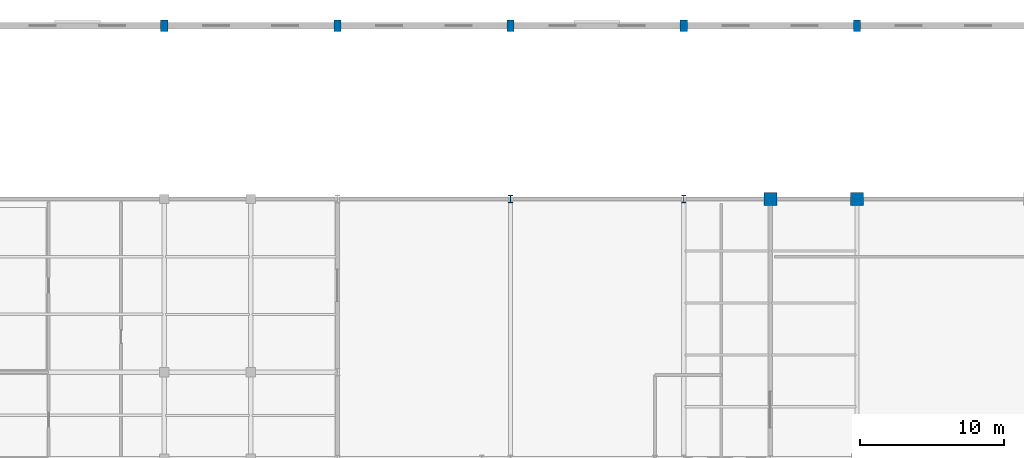
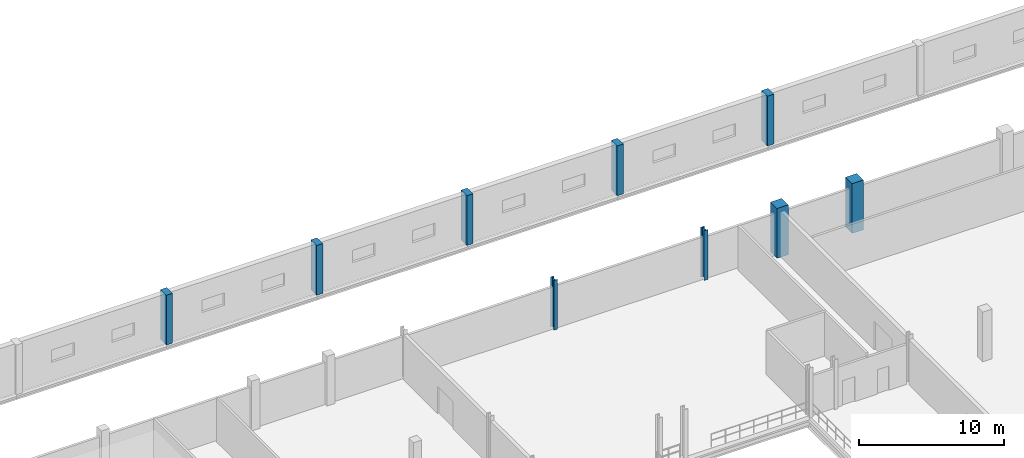
# One storey, part 20 of 158: 9 columns.
"""IFC4 building model written with IfcOpenShell, lengths in metres."""

from ifc_helpers import new_model, si_unit, direction, frame, origin, origin_2d, place, context, subcontext, project, spatial, rectangle, i_section, extrude, material, material_profile, profile_set, type_object, element, save


model = new_model("IFC4")

# Units and contexts
model_context = context("Model", 3, precision=1e-05, world=origin(), true_north=direction((0.0, 1.0)))
body_context = subcontext(model_context, "Body", "Model", "MODEL_VIEW")
ifc_project = project(units=[si_unit("LENGTHUNIT", "METRE"), si_unit("AREAUNIT", "SQUARE_METRE"), si_unit("VOLUMEUNIT", "CUBIC_METRE"), si_unit("PLANEANGLEUNIT", "RADIAN"), si_unit("MASSUNIT", "GRAM", prefix="KILO")], contexts=[model_context])

# Site, building, storey
site_placement = place(None, origin())
site = spatial("IfcSite", under=ifc_project, at=site_placement, CompositionType="ELEMENT")
building_placement = place(site_placement, origin())
building = spatial("IfcBuilding", under=site, at=building_placement, Name="Zilviju Railside Exhibition Hall", CompositionType="ELEMENT")
storey_placement = place(building_placement, frame((0.0, 0.0, 4.199951171875)))
storey = spatial("IfcBuildingStorey", under=building, at=storey_placement, Name="L02", CompositionType="ELEMENT", Elevation=4.199951171875)

# Columns
ifc_material_1 = material(Name="Concrete C40/50", Category="concrete")
ifc_material_profile_1 = material_profile(ifc_material_1, rectangle(XDim=0.5, YDim=0.800048828125, at=origin_2d()), Name="RC COL 500x800")
ifc_profile_set_1 = profile_set([ifc_material_profile_1], Name="Concrete C40/50")
column_type_1 = type_object("IfcColumnType", Name="COL-RC-800x500", PredefinedType="COLUMN", material=ifc_profile_set_1)
for number, where, z_axis, x_axis, name in (
    (1, (36.0, 150.0, 0.0), (0.0, 0.0, 1.0), (1.0, 0.0, 0.0), "Structural Column L02 (36.0, 150.0)"),
    (2, (48.0, 150.0, 0.0), (0.0, 0.0, 1.0), (1.0, 0.0, 0.0), "Structural Column L02 (48.0, 150.0)"),
    (3, (60.0, 150.0, 0.0), (0.0, 0.0, 1.0), (1.0, 0.0, 0.0), "Structural Column L02 (60.0, 150.0)"),
    (4, (72.0, 150.0, 0.0), (0.0, 0.0, 1.0), (1.0, 0.0, 0.0), "Structural Column L02 (72.0, 150.0)"),
    (5, (84.0, 150.0, 0.0), (0.0, 0.0, 1.0), (1.0, 0.0, 0.0), "Structural Column L02 (84.0, 150.0)"),
):
    element("IfcColumn", number, at=place(storey_placement, frame(where, z_axis=z_axis, x_axis=x_axis)), inside=storey, type_object=column_type_1, Name=name, PredefinedType="COLUMN", context=body_context, shape_type="SweptSolid", body=[
        extrude(rectangle(XDim=0.5, YDim=0.800048828125, at=origin_2d()), origin(), (0.0, 0.0, 1.0), 4.199951171875),
    ])
ifc_material_profile_2 = material_profile(ifc_material_1, rectangle(XDim=0.89990234375, YDim=0.89990234375, at=origin_2d()), Name="RC COL 900x900")
ifc_profile_set_2 = profile_set([ifc_material_profile_2], Name="Concrete C40/50")
column_type_2 = type_object("IfcColumnType", Name="COL-RC-900", PredefinedType="COLUMN", material=ifc_profile_set_2)
for number, where, z_axis, x_axis, name in (
    (6, (78.0, 138.0, 0.0), (0.0, 0.0, 1.0), (1.0, 0.0, 0.0), "Structural Column L02 (78.0, 138.0)"),
    (7, (84.0, 138.0, 0.0), (0.0, 0.0, 1.0), (1.0, 0.0, 0.0), "Structural Column L02 (84.0, 138.0)"),
):
    element("IfcColumn", number, at=place(storey_placement, frame(where, z_axis=z_axis, x_axis=x_axis)), inside=storey, type_object=column_type_2, Name=name, PredefinedType="COLUMN", context=body_context, shape_type="SweptSolid", body=[
        extrude(rectangle(XDim=0.89990234375, YDim=0.89990234375, at=origin_2d()), origin(), (0.0, 0.0, 1.0), 4.199951171875),
    ])
ifc_material_2 = material(Name="Steel S355J2", Category="steel")
ifc_material_profile_3 = material_profile(ifc_material_2, i_section(OverallWidth=0.300048828125, OverallDepth=0.5, WebThickness=0.014404296875, FlangeThickness=0.028076171875, at=origin_2d()), Name="HEB 500")
ifc_profile_set_3 = profile_set([ifc_material_profile_3], Name="Steel S355J2")
column_type_3 = type_object("IfcColumnType", Name="COL-ST-HEB500", PredefinedType="COLUMN", material=ifc_profile_set_3)
for number, where, z_axis, x_axis, name in (
    (8, (60.0, 138.0, 0.0), (0.0, 0.0, 1.0), (1.0, 0.0, 0.0), "Structural Column L02 (60.0, 138.0)"),
    (9, (72.0, 138.0, 0.0), (0.0, 0.0, 1.0), (1.0, 0.0, 0.0), "Structural Column L02 (72.0, 138.0)"),
):
    element("IfcColumn", number, at=place(storey_placement, frame(where, z_axis=z_axis, x_axis=x_axis)), inside=storey, type_object=column_type_3, Name=name, PredefinedType="COLUMN", context=body_context, shape_type="SweptSolid", body=[
        extrude(i_section(OverallWidth=0.300048828125, OverallDepth=0.5, WebThickness=0.014404296875, FlangeThickness=0.028076171875, at=origin_2d()), origin(), (0.0, 0.0, 1.0), 4.199951171875),
    ])

save(model, "model.ifc")
